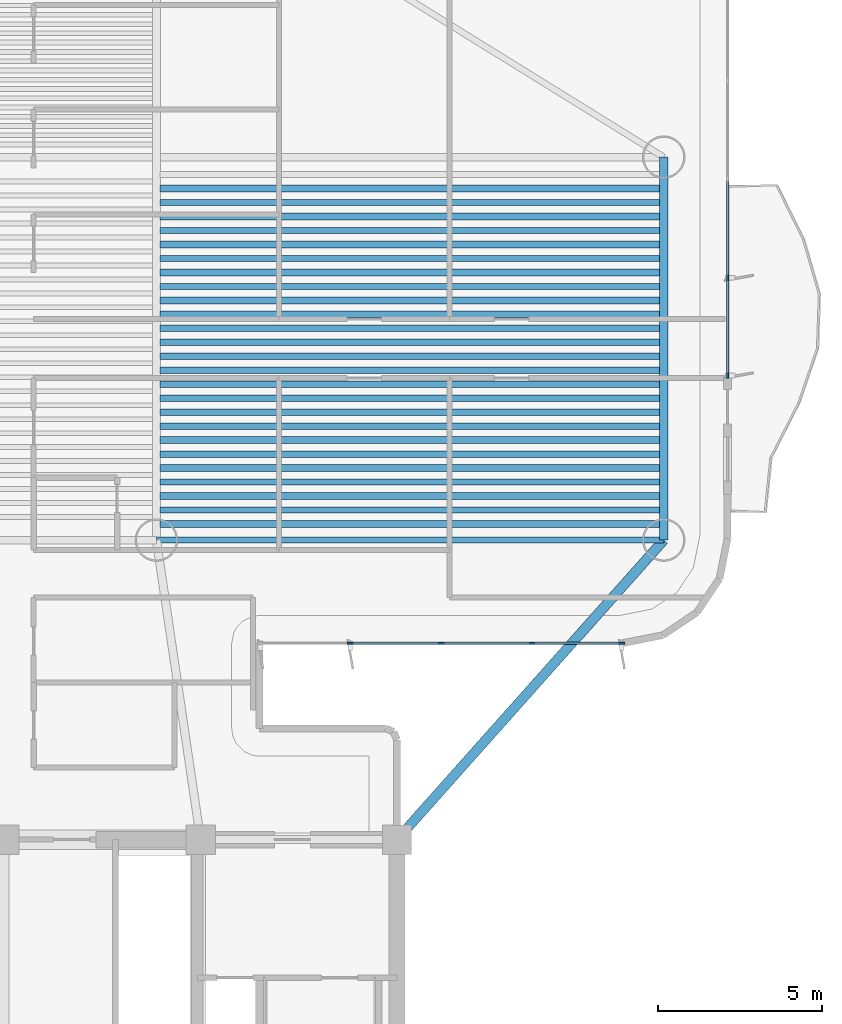
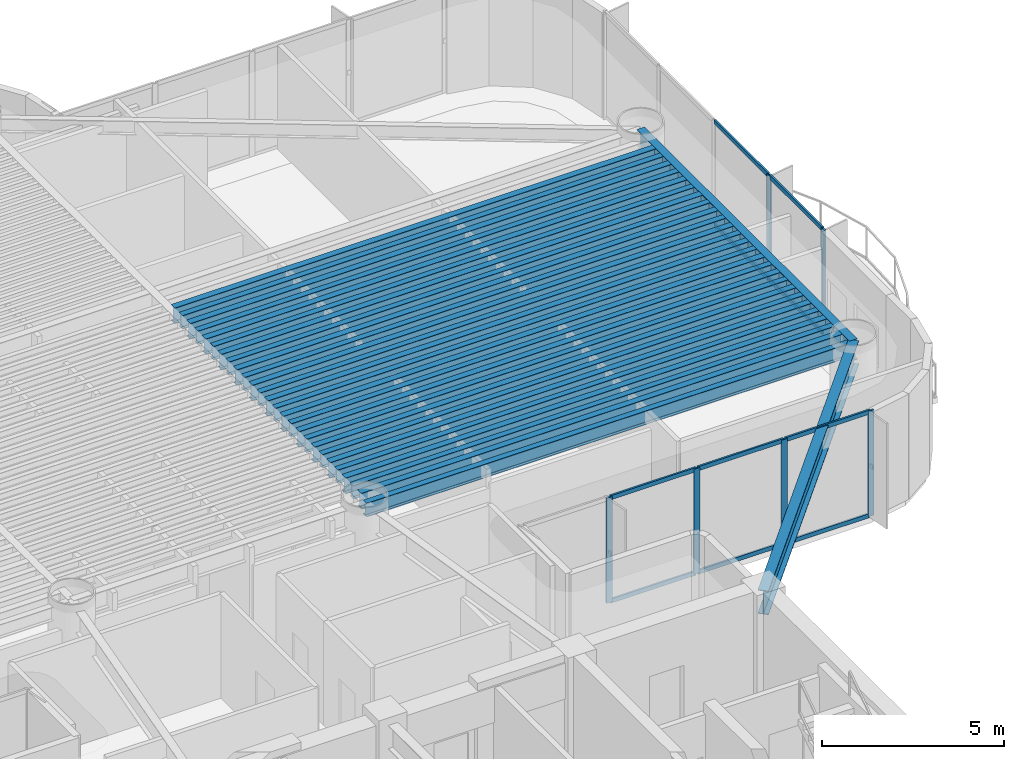
# One storey, part 4 of 16: 28 beams, 16 members, 2 elements without a shape of their own.
"""IFC4 building model written with IfcOpenShell, lengths in metres."""

from ifc_helpers import new_model, si_unit, direction, frame, origin, origin_2d, place, context, subcontext, project, spatial, rectangle, i_section, extrude, source, transform, mapped, material, layer, layer_set, material_profile, profile_set, type_object, element, aggregate, save


model = new_model("IFC4")

# Units and contexts
model_context = context("Model", 3, precision=1e-05, world=origin(), true_north=direction((0.0, 1.0)))
body_context = subcontext(model_context, "Body", "Model", "MODEL_VIEW")
ifc_project = project(units=[si_unit("LENGTHUNIT", "METRE"), si_unit("AREAUNIT", "SQUARE_METRE"), si_unit("VOLUMEUNIT", "CUBIC_METRE"), si_unit("PLANEANGLEUNIT", "RADIAN"), si_unit("MASSUNIT", "GRAM", prefix="KILO")], contexts=[model_context])

# Site, building, storey
site_placement = place(None, origin())
site = spatial("IfcSite", under=ifc_project, at=site_placement, CompositionType="ELEMENT")
building_placement = place(site_placement, origin())
building = spatial("IfcBuilding", under=site, at=building_placement, Name="Brelvock Crest Care Tower", CompositionType="ELEMENT")
storey_placement = place(building_placement, frame((0.0, 0.0, 104.93994140625)))
storey = spatial("IfcBuildingStorey", under=building, at=storey_placement, Name="L26", CompositionType="ELEMENT", Elevation=104.93994140625)

# Beams
ifc_material_1 = material(Name="Steel Grade 350", Category="steel")
ifc_material_profile_1 = material_profile(ifc_material_1, i_section(OverallWidth=0.208984375, OverallDepth=0.532958984375, WebThickness=0.01025390625, FlangeThickness=0.015625, FilletRadius=0.013916015625, at=origin_2d()), Name="530UB92.4")
ifc_profile_set_1 = profile_set([ifc_material_profile_1], Name="Steel Grade 350")
beam_type_1 = type_object("IfcBeamType", Name="BM-G2", PredefinedType="BEAM", material=ifc_profile_set_1)
shared_shape_1 = source(origin(), body_context, "Body", "SweptSolid", [
    extrude(i_section(OverallWidth=0.208984375, OverallDepth=0.532958984375, WebThickness=0.01025390625, FlangeThickness=0.015625, FilletRadius=0.013916015625, at=origin_2d()), origin(), (0.0, 0.0, 1.0), 15.27001953125),
])
for number, where, z_axis, x_axis, name in (
    (1, (40.764892578125, 27.641357421875, 3.263671875), (1.0, 0.0, 0.0), (0.0, 1.0, 0.0), "BM-JE-L26-1"),
    (2, (40.764892578125, 28.49560546875, 3.263671875), (1.0, 0.0, 0.0), (0.0, 1.0, 0.0), "BM-JE-L26-3"),
    (3, (40.764892578125, 29.349609375, 3.263671875), (1.0, 0.0, 0.0), (0.0, 1.0, 0.0), "BM-JE-L26-5"),
    (4, (40.764892578125, 30.20361328125, 3.263671875), (1.0, 0.0, 0.0), (0.0, 1.0, 0.0), "BM-JE-L26-7"),
    (5, (40.764892578125, 31.057861328125, 3.263671875), (1.0, 0.0, 0.0), (0.0, 1.0, 0.0), "BM-JE-L26-9"),
    (6, (40.764892578125, 31.911865234375, 3.263671875), (1.0, 0.0, 0.0), (0.0, 1.0, 0.0), "BM-JE-L26-11"),
    (7, (40.764892578125, 32.76611328125, 3.263671875), (1.0, 0.0, 0.0), (0.0, 1.0, 0.0), "BM-JE-L26-13"),
    (8, (40.764892578125, 33.6201171875, 3.263671875), (1.0, 0.0, 0.0), (0.0, 1.0, 0.0), "BM-JE-L26-15"),
    (9, (40.764892578125, 34.47412109375, 3.263671875), (1.0, 0.0, 0.0), (0.0, 1.0, 0.0), "BM-JE-L26-17"),
    (10, (40.764892578125, 35.328369140625, 3.263671875), (1.0, 0.0, 0.0), (0.0, 1.0, 0.0), "BM-JE-L26-19"),
    (11, (40.764892578125, 36.182373046875, 3.263671875), (1.0, 0.0, 0.0), (0.0, 1.0, 0.0), "BM-JE-L26-21"),
    (12, (40.764892578125, 37.03662109375, 3.263671875), (1.0, 0.0, 0.0), (0.0, 1.0, 0.0), "BM-JE-L26-23"),
    (13, (40.764892578125, 37.890625, 3.263671875), (1.0, 0.0, 0.0), (0.0, 1.0, 0.0), "BM-JE-L26-25"),
):
    element("IfcBeam", number, at=place(storey_placement, frame(where, z_axis=z_axis, x_axis=x_axis)), inside=storey, type_object=beam_type_1, Name=name, PredefinedType="BEAM", context=body_context, shape_type="MappedRepresentation", body=[
        mapped(shared_shape_1, transform((0.0, 0.0, 0.0), x_axis=(1.0, 0.0, 0.0), y_axis=(0.0, 1.0, 0.0), z_axis=(0.0, 0.0, 1.0), scale=1.0)),
    ])
ifc_material_profile_2 = material_profile(ifc_material_1, i_section(OverallWidth=0.19091796875, OverallDepth=0.4599609375, WebThickness=0.010009765625, FlangeThickness=0.01611328125, FilletRadius=0.011474609375, at=origin_2d()), Name="460UB82.1")
ifc_profile_set_2 = profile_set([ifc_material_profile_2], Name="Steel Grade 350")
beam_type_2 = type_object("IfcBeamType", Name="BM-G3", PredefinedType="BEAM", material=ifc_profile_set_2)
shared_shape_2 = source(origin(), body_context, "Body", "SweptSolid", [
    extrude(i_section(OverallWidth=0.19091796875, OverallDepth=0.4599609375, WebThickness=0.010009765625, FlangeThickness=0.01611328125, FilletRadius=0.011474609375, at=origin_2d()), origin(), (0.0, 0.0, 1.0), 15.27001953125),
])
for number, where, z_axis, x_axis, name in (
    (14, (40.764892578125, 28.068359375, 3.300048828125), (1.0, 0.0, 0.0), (0.0, 1.0, 0.0), "BM-JE-L26-2"),
    (15, (40.764892578125, 28.922607421875, 3.300048828125), (1.0, 0.0, 0.0), (0.0, 1.0, 0.0), "BM-JE-L26-4"),
    (16, (40.764892578125, 29.776611328125, 3.300048828125), (1.0, 0.0, 0.0), (0.0, 1.0, 0.0), "BM-JE-L26-6"),
    (17, (40.764892578125, 30.630615234375, 3.300048828125), (1.0, 0.0, 0.0), (0.0, 1.0, 0.0), "BM-JE-L26-8"),
    (18, (40.764892578125, 31.48486328125, 3.300048828125), (1.0, 0.0, 0.0), (0.0, 1.0, 0.0), "BM-JE-L26-10"),
    (19, (40.764892578125, 32.3388671875, 3.300048828125), (1.0, 0.0, 0.0), (0.0, 1.0, 0.0), "BM-JE-L26-12"),
    (20, (40.764892578125, 33.193115234375, 3.300048828125), (1.0, 0.0, 0.0), (0.0, 1.0, 0.0), "BM-JE-L26-14"),
    (21, (40.764892578125, 34.047119140625, 3.300048828125), (1.0, 0.0, 0.0), (0.0, 1.0, 0.0), "BM-JE-L26-16"),
    (22, (40.764892578125, 34.901123046875, 3.300048828125), (1.0, 0.0, 0.0), (0.0, 1.0, 0.0), "BM-JE-L26-18"),
    (23, (40.764892578125, 35.75537109375, 3.300048828125), (1.0, 0.0, 0.0), (0.0, 1.0, 0.0), "BM-JE-L26-20"),
    (24, (40.764892578125, 36.609619140625, 3.300048828125), (1.0, 0.0, 0.0), (0.0, 1.0, 0.0), "BM-JE-L26-22"),
    (25, (40.764892578125, 37.46337890625, 3.300048828125), (1.0, 0.0, 0.0), (0.0, 1.0, 0.0), "BM-JE-L26-24"),
):
    element("IfcBeam", number, at=place(storey_placement, frame(where, z_axis=z_axis, x_axis=x_axis)), inside=storey, type_object=beam_type_2, Name=name, PredefinedType="BEAM", context=body_context, shape_type="MappedRepresentation", body=[
        mapped(shared_shape_2, transform((0.0, 0.0, 0.0), x_axis=(1.0, 0.0, 0.0), y_axis=(0.0, 1.0, 0.0), z_axis=(0.0, 0.0, 1.0), scale=1.0)),
    ])
ifc_material_profile_3 = material_profile(ifc_material_1, i_section(OverallWidth=0.25, OverallDepth=0.699951171875, WebThickness=0.011962890625, FlangeThickness=0.02001953125, at=origin_2d()), Name="700WB150")
ifc_profile_set_3 = profile_set([ifc_material_profile_3], Name="Steel Grade 350")
beam_type_3 = type_object("IfcBeamType", Name="BM-G4", PredefinedType="BEAM", material=ifc_profile_set_3)
shared_shape_3 = source(origin(), body_context, "Body", "SweptSolid", [
    extrude(i_section(OverallWidth=0.25, OverallDepth=0.699951171875, WebThickness=0.011962890625, FlangeThickness=0.02001953125, at=origin_2d()), origin(), (0.0, 0.0, 1.0), 11.7001953125),
])
beam_1_placement = place(storey_placement, frame((56.14990234375, 27.14990234375, 3.18017578125), z_axis=(0.0, 1.0, 0.0), x_axis=(-1.0, 0.0, 0.0)))
element("IfcBeam", 26, at=beam_1_placement, inside=storey, type_object=beam_type_3, Name="BM-TWR-L26-02", PredefinedType="BEAM", context=body_context, shape_type="MappedRepresentation", body=[
    mapped(shared_shape_3, transform((0.0, 0.0, 0.0), x_axis=(1.0, 0.0, 0.0), y_axis=(0.0, 1.0, 0.0), z_axis=(0.0, 0.0, 1.0), scale=1.0)),
])
ifc_material_profile_4 = material_profile(ifc_material_1, i_section(OverallWidth=0.19091796875, OverallDepth=0.4599609375, WebThickness=0.010009765625, FlangeThickness=0.01611328125, FilletRadius=0.011474609375, at=origin_2d()), Name="460UB82.1")
ifc_profile_set_4 = profile_set([ifc_material_profile_4], Name="Steel Grade 350")
beam_type_4 = type_object("IfcBeamType", Name="BM-SP2", PredefinedType="SPANDREL", material=ifc_profile_set_4)
shared_shape_4 = source(origin(), body_context, "Body", "SweptSolid", [
    extrude(i_section(OverallWidth=0.19091796875, OverallDepth=0.4599609375, WebThickness=0.010009765625, FlangeThickness=0.01611328125, FilletRadius=0.011474609375, at=origin_2d()), origin(), (0.0, 0.0, 1.0), 15.5),
])
beam_2_placement = place(storey_placement, frame((40.64990234375, 27.14990234375, 3.300048828125), z_axis=(1.0, 0.0, 0.0), x_axis=(0.0, 1.0, 0.0)))
element("IfcBeam", 27, at=beam_2_placement, inside=storey, type_object=beam_type_4, Name="BM-TWR-L26-04", PredefinedType="SPANDREL", context=body_context, shape_type="MappedRepresentation", body=[
    mapped(shared_shape_4, transform((0.0, 0.0, 0.0), x_axis=(1.0, 0.0, 0.0), y_axis=(0.0, 1.0, 0.0), z_axis=(0.0, 0.0, 1.0), scale=1.0)),
])
ifc_material_profile_5 = material_profile(ifc_material_1, i_section(OverallWidth=0.300048828125, OverallDepth=0.800048828125, WebThickness=0.013916015625, FlangeThickness=0.02197265625, at=origin_2d()), Name="800WB192")
ifc_profile_set_5 = profile_set([ifc_material_profile_5], Name="Steel Grade 350")
beam_type_5 = type_object("IfcBeamType", Name="BM-G5", PredefinedType="BEAM", material=ifc_profile_set_5)
shared_shape_5 = source(origin(), body_context, "Body", "SweptSolid", [
    extrude(i_section(OverallWidth=0.300048828125, OverallDepth=0.800048828125, WebThickness=0.013916015625, FlangeThickness=0.02197265625, at=origin_2d()), origin(), (0.0, 0.0, 1.0), 12.253173828125),
])
beam_3_placement = place(storey_placement, frame((48.0, 18.0, 3.130126953125), z_axis=(0.665122829149, 0.746733970129, 0.0), x_axis=(-0.746733970129, 0.665122829149, 0.0)))
element("IfcBeam", 28, at=beam_3_placement, inside=storey, type_object=beam_type_5, Name="BM-THRO-E-L26", PredefinedType="BEAM", context=body_context, shape_type="MappedRepresentation", body=[
    mapped(shared_shape_5, transform((0.0, 0.0, 0.0), x_axis=(1.0, 0.0, 0.0), y_axis=(0.0, 1.0, 0.0), z_axis=(0.0, 0.0, 1.0), scale=1.0)),
])

# Curtain wall, members
ifc_material_2 = material(Name="Dark Glass Double Glazed Low-E", Category="glass")
ifc_layer = layer(ifc_material_2, 0.2099609375, Name="CWS-3")
ifc_layer_set = layer_set([ifc_layer], Name="Dark Glass Double Glazed Low-E")
curtain_wall_type = type_object("IfcCurtainWallType", Name="CWS-3", PredefinedType="NOTDEFINED", material=ifc_layer_set)
curtain_wall_1_placement = place(storey_placement, origin())
curtain_wall_1 = element("IfcCurtainWall", 29, at=curtain_wall_1_placement, inside=storey, type_object=curtain_wall_type, Name="L26 Curtain Wall E39A", PredefinedType="NOTDEFINED")
ifc_material_3 = material(Name="Aluminium 6063-T6", Category="aluminium")
ifc_material_profile_6 = material_profile(ifc_material_3, rectangle(XDim=0.06005859375, YDim=0.179931640625, at=origin_2d()), Name="ALU60x180")
ifc_profile_set_6 = profile_set([ifc_material_profile_6], Name="Aluminium 6063-T6")
member_type_1 = type_object("IfcMemberType", Name="CWM-2", PredefinedType="MULLION", material=ifc_profile_set_6)
shared_shape_6 = source(origin(), body_context, "Body", "SweptSolid", [
    extrude(rectangle(XDim=0.06005859375, YDim=0.179931640625, at=origin_2d()), origin(), (0.0, 0.0, 1.0), 3.530029296875),
])
member_1_placement = place(storey_placement, frame((58.10009765625, 35.16259765625, 0.0), z_axis=(0.0, 0.0, 1.0), x_axis=(1.0, 0.0, 0.0)))
member_1 = element("IfcMember", 30, at=member_1_placement, type_object=member_type_1, Name="CW-3 mullion 4", PredefinedType="MULLION", context=body_context, shape_type="MappedRepresentation", body=[
    mapped(shared_shape_6, transform((0.0, 0.0, 0.0), x_axis=(1.0, 0.0, 0.0), y_axis=(0.0, 1.0, 0.0), z_axis=(0.0, 0.0, 1.0), scale=1.0)),
])
member_2_placement = place(storey_placement, frame((58.10009765625, 32.179931640625, 0.0), z_axis=(0.0, 0.0, 1.0), x_axis=(1.0, 0.0, 0.0)))
member_2 = element("IfcMember", 31, at=member_2_placement, type_object=member_type_1, Name="CW-3 mullion 5", PredefinedType="MULLION", context=body_context, shape_type="MappedRepresentation", body=[
    mapped(shared_shape_6, transform((0.0, 0.0, 0.0), x_axis=(1.0, 0.0, 0.0), y_axis=(0.0, 1.0, 0.0), z_axis=(0.0, 0.0, 1.0), scale=1.0)),
])

curtain_wall_2_placement = place(storey_placement, origin())
curtain_wall_2 = element("IfcCurtainWall", 32, at=curtain_wall_2_placement, inside=storey, type_object=curtain_wall_type, Name="L26 Curtain Wall E44", PredefinedType="NOTDEFINED")
member_3_placement = place(storey_placement, frame((54.8701171875, 24.0, 0.0), z_axis=(0.0, 0.0, 1.0), x_axis=(0.0, -1.0, 0.0)))
member_3 = element("IfcMember", 33, at=member_3_placement, type_object=member_type_1, Name="CW-3 mullion 1", PredefinedType="MULLION", context=body_context, shape_type="MappedRepresentation", body=[
    mapped(shared_shape_6, transform((0.0, 0.0, 0.0), x_axis=(1.0, 0.0, 0.0), y_axis=(0.0, 1.0, 0.0), z_axis=(0.0, 0.0, 1.0), scale=1.0)),
])
member_4_placement = place(storey_placement, frame((52.125, 24.0, 0.0), z_axis=(0.0, 0.0, 1.0), x_axis=(0.0, -1.0, 0.0)))
member_4 = element("IfcMember", 34, at=member_4_placement, type_object=member_type_1, Name="CW-3 mullion 2", PredefinedType="MULLION", context=body_context, shape_type="MappedRepresentation", body=[
    mapped(shared_shape_6, transform((0.0, 0.0, 0.0), x_axis=(1.0, 0.0, 0.0), y_axis=(0.0, 1.0, 0.0), z_axis=(0.0, 0.0, 1.0), scale=1.0)),
])
member_5_placement = place(storey_placement, frame((49.35009765625, 24.0, 0.0), z_axis=(0.0, 0.0, 1.0), x_axis=(0.0, -1.0, 0.0)))
member_5 = element("IfcMember", 35, at=member_5_placement, type_object=member_type_1, Name="CW-3 mullion 3", PredefinedType="MULLION", context=body_context, shape_type="MappedRepresentation", body=[
    mapped(shared_shape_6, transform((0.0, 0.0, 0.0), x_axis=(1.0, 0.0, 0.0), y_axis=(0.0, 1.0, 0.0), z_axis=(0.0, 0.0, 1.0), scale=1.0)),
])
member_6_placement = place(storey_placement, frame((46.574951171875, 24.0, 0.0), z_axis=(0.0, 0.0, 1.0), x_axis=(0.0, -1.0, 0.0)))
member_6 = element("IfcMember", 36, at=member_6_placement, type_object=member_type_1, Name="CW-3 mullion 4", PredefinedType="MULLION", context=body_context, shape_type="MappedRepresentation", body=[
    mapped(shared_shape_6, transform((0.0, 0.0, 0.0), x_axis=(1.0, 0.0, 0.0), y_axis=(0.0, 1.0, 0.0), z_axis=(0.0, 0.0, 1.0), scale=1.0)),
])
ifc_material_profile_7 = material_profile(ifc_material_3, rectangle(XDim=0.06005859375, YDim=0.139892578125, at=origin_2d()), Name="ALU60x140")
ifc_profile_set_7 = profile_set([ifc_material_profile_7], Name="Aluminium 6063-T6")
member_type_2 = type_object("IfcMemberType", Name="CWT-2", PredefinedType="USERDEFINED", material=ifc_profile_set_7)
shared_shape_7 = source(origin(), body_context, "Body", "SweptSolid", [
    extrude(rectangle(XDim=0.06005859375, YDim=0.139892578125, at=origin_2d()), origin(), (0.0, 0.0, 1.0), 2.715087890625),
])
member_7_placement = place(storey_placement, frame((52.094970703125, 24.0, 0.030029296875), z_axis=(-1.0, 0.0, 0.0), x_axis=(0.0, -1.0, 0.0)))
member_7 = element("IfcMember", 37, at=member_7_placement, type_object=member_type_2, Name="CW-3 transom 2.1", ObjectType="TRANSOM", PredefinedType="USERDEFINED", context=body_context, shape_type="MappedRepresentation", body=[
    mapped(shared_shape_7, transform((0.0, 0.0, 0.0), x_axis=(1.0, 0.0, 0.0), y_axis=(0.0, 1.0, 0.0), z_axis=(0.0, 0.0, 1.0), scale=1.0)),
])
member_8_placement = place(storey_placement, frame((52.094970703125, 24.0, 3.5), z_axis=(-1.0, 0.0, 0.0), x_axis=(0.0, -1.0, 0.0)))
member_8 = element("IfcMember", 38, at=member_8_placement, type_object=member_type_2, Name="CW-3 transom 2.2", ObjectType="TRANSOM", PredefinedType="USERDEFINED", context=body_context, shape_type="MappedRepresentation", body=[
    mapped(shared_shape_7, transform((0.0, 0.0, 0.0), x_axis=(1.0, 0.0, 0.0), y_axis=(0.0, 1.0, 0.0), z_axis=(0.0, 0.0, 1.0), scale=1.0)),
])
member_9_placement = place(storey_placement, frame((49.320068359375, 24.0, 0.030029296875), z_axis=(-1.0, 0.0, 0.0), x_axis=(0.0, -1.0, 0.0)))
member_9 = element("IfcMember", 39, at=member_9_placement, type_object=member_type_2, Name="CW-3 transom 3.1", ObjectType="TRANSOM", PredefinedType="USERDEFINED", context=body_context, shape_type="MappedRepresentation", body=[
    mapped(shared_shape_7, transform((0.0, 0.0, 0.0), x_axis=(1.0, 0.0, 0.0), y_axis=(0.0, 1.0, 0.0), z_axis=(0.0, 0.0, 1.0), scale=1.0)),
])
member_10_placement = place(storey_placement, frame((49.320068359375, 24.0, 3.5), z_axis=(-1.0, 0.0, 0.0), x_axis=(0.0, -1.0, 0.0)))
member_10 = element("IfcMember", 40, at=member_10_placement, type_object=member_type_2, Name="CW-3 transom 3.2", ObjectType="TRANSOM", PredefinedType="USERDEFINED", context=body_context, shape_type="MappedRepresentation", body=[
    mapped(shared_shape_7, transform((0.0, 0.0, 0.0), x_axis=(1.0, 0.0, 0.0), y_axis=(0.0, 1.0, 0.0), z_axis=(0.0, 0.0, 1.0), scale=1.0)),
])
shared_shape_8 = source(origin(), body_context, "Body", "SweptSolid", [
    extrude(rectangle(XDim=0.06005859375, YDim=0.139892578125, at=origin_2d()), origin(), (0.0, 0.0, 1.0), 2.68505859375),
])
member_11_placement = place(storey_placement, frame((54.840087890625, 24.0, 0.030029296875), z_axis=(-1.0, 0.0, 0.0), x_axis=(0.0, -1.0, 0.0)))
member_11 = element("IfcMember", 41, at=member_11_placement, type_object=member_type_2, Name="CW-3 transom 1.1", ObjectType="TRANSOM", PredefinedType="USERDEFINED", context=body_context, shape_type="MappedRepresentation", body=[
    mapped(shared_shape_8, transform((0.0, 0.0, 0.0), x_axis=(1.0, 0.0, 0.0), y_axis=(0.0, 1.0, 0.0), z_axis=(0.0, 0.0, 1.0), scale=1.0)),
])
member_12_placement = place(storey_placement, frame((54.840087890625, 24.0, 3.5), z_axis=(-1.0, 0.0, 0.0), x_axis=(0.0, -1.0, 0.0)))
member_12 = element("IfcMember", 42, at=member_12_placement, type_object=member_type_2, Name="CW-3 transom 1.2", ObjectType="TRANSOM", PredefinedType="USERDEFINED", context=body_context, shape_type="MappedRepresentation", body=[
    mapped(shared_shape_8, transform((0.0, 0.0, 0.0), x_axis=(1.0, 0.0, 0.0), y_axis=(0.0, 1.0, 0.0), z_axis=(0.0, 0.0, 1.0), scale=1.0)),
])
aggregate(curtain_wall_2, [member_3, member_4, member_5, member_6, member_11, member_12, member_7, member_8, member_9, member_10])

# Member
shared_shape_9 = source(origin(), body_context, "Body", "SweptSolid", [
    extrude(rectangle(XDim=0.06005859375, YDim=0.139892578125, at=origin_2d()), origin(), (0.0, 0.0, 1.0), 2.922607421875),
])
member_13_placement = place(storey_placement, frame((58.10009765625, 35.132568359375, 0.030029296875), z_axis=(0.0, -1.0, 0.0), x_axis=(1.0, 0.0, 0.0)))
member_13 = element("IfcMember", 43, at=member_13_placement, type_object=member_type_2, Name="CW-3 transom 4.1", ObjectType="TRANSOM", PredefinedType="USERDEFINED", context=body_context, shape_type="MappedRepresentation", body=[
    mapped(shared_shape_9, transform((0.0, 0.0, 0.0), x_axis=(1.0, 0.0, 0.0), y_axis=(0.0, 1.0, 0.0), z_axis=(0.0, 0.0, 1.0), scale=1.0)),
])

member_14_placement = place(storey_placement, frame((58.10009765625, 35.132568359375, 3.5), z_axis=(0.0, -1.0, 0.0), x_axis=(1.0, 0.0, 0.0)))
member_14 = element("IfcMember", 44, at=member_14_placement, type_object=member_type_2, Name="CW-3 transom 4.2", ObjectType="TRANSOM", PredefinedType="USERDEFINED", context=body_context, shape_type="MappedRepresentation", body=[
    mapped(shared_shape_9, transform((0.0, 0.0, 0.0), x_axis=(1.0, 0.0, 0.0), y_axis=(0.0, 1.0, 0.0), z_axis=(0.0, 0.0, 1.0), scale=1.0)),
])

shared_shape_10 = source(origin(), body_context, "Body", "SweptSolid", [
    extrude(rectangle(XDim=0.06005859375, YDim=0.139892578125, at=origin_2d()), origin(), (0.0, 0.0, 1.0), 2.95263671875),
])
member_15_placement = place(storey_placement, frame((58.10009765625, 38.14501953125, 0.030029296875), z_axis=(0.0, -1.0, 0.0), x_axis=(1.0, 0.0, 0.0)))
member_15 = element("IfcMember", 45, at=member_15_placement, type_object=member_type_2, Name="CW-3 transom 3.1", ObjectType="TRANSOM", PredefinedType="USERDEFINED", context=body_context, shape_type="MappedRepresentation", body=[
    mapped(shared_shape_10, transform((0.0, 0.0, 0.0), x_axis=(1.0, 0.0, 0.0), y_axis=(0.0, 1.0, 0.0), z_axis=(0.0, 0.0, 1.0), scale=1.0)),
])

member_16_placement = place(storey_placement, frame((58.10009765625, 38.14501953125, 3.5), z_axis=(0.0, -1.0, 0.0), x_axis=(1.0, 0.0, 0.0)))
member_16 = element("IfcMember", 46, at=member_16_placement, type_object=member_type_2, Name="CW-3 transom 3.2", ObjectType="TRANSOM", PredefinedType="USERDEFINED", context=body_context, shape_type="MappedRepresentation", body=[
    mapped(shared_shape_10, transform((0.0, 0.0, 0.0), x_axis=(1.0, 0.0, 0.0), y_axis=(0.0, 1.0, 0.0), z_axis=(0.0, 0.0, 1.0), scale=1.0)),
])

aggregate(curtain_wall_1, [member_1, member_2, member_15, member_16, member_13, member_14])

save(model, "model.ifc")
